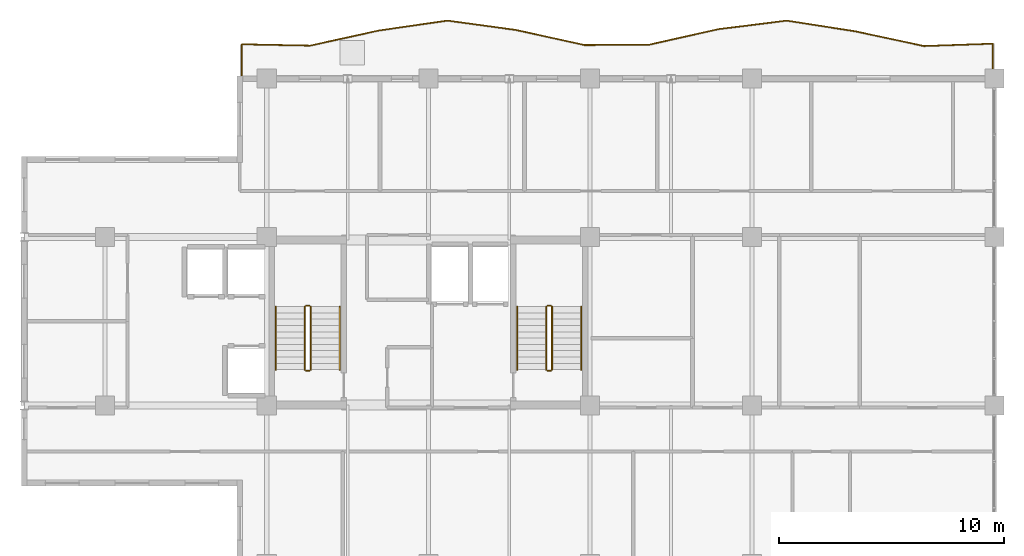
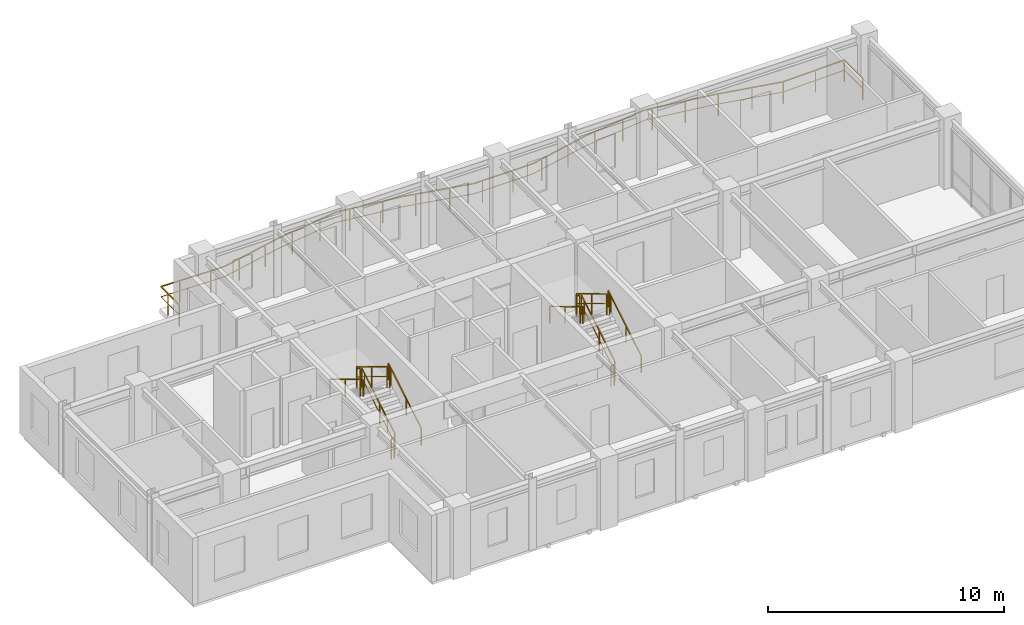
# One storey, part 10 of 10: 13 railings.
"""IFC4 building model written with IfcOpenShell, lengths in metres."""

from ifc_helpers import new_model, si_unit, direction, frame, origin, origin_2d, place, context, subcontext, project, spatial, rectangle, extrude, material, type_object, element, save


model = new_model("IFC4")

# Units and contexts
model_context = context("Model", 3, precision=1e-05, world=origin(), true_north=direction((0.0, 1.0)))
body_context = subcontext(model_context, "Body", "Model", "MODEL_VIEW")
ifc_project = project(units=[si_unit("LENGTHUNIT", "METRE"), si_unit("AREAUNIT", "SQUARE_METRE"), si_unit("VOLUMEUNIT", "CUBIC_METRE"), si_unit("PLANEANGLEUNIT", "RADIAN"), si_unit("MASSUNIT", "GRAM", prefix="KILO")], contexts=[model_context])

# Site, building, storey
site_placement = place(None, origin())
site = spatial("IfcSite", under=ifc_project, at=site_placement, CompositionType="ELEMENT")
building_placement = place(site_placement, origin())
building = spatial("IfcBuilding", under=site, at=building_placement, Name="Kaliganga Portal Commons", CompositionType="ELEMENT")
storey_placement = place(building_placement, frame((0.0, 0.0, 286.89990234375)))
storey = spatial("IfcBuildingStorey", under=building, at=storey_placement, Name="L74", CompositionType="ELEMENT", Elevation=286.89990234375)

# Railings
ifc_material_1 = material(Name="Laminated Safety Glass and Stainless Steel 316", Category="steel")
railing_type_1 = type_object("IfcRailingType", Name="RLG-BAL-1150", PredefinedType="BALUSTRADE", material=ifc_material_1)
railing_1_placement = place(storey_placement, frame((46.720458984375, 43.207763671875, 0.0)))
element("IfcRailing", 1, at=railing_1_placement, inside=storey, type_object=railing_type_1, Name="Balcony Guardrail L74 balc_north", PredefinedType="BALUSTRADE", context=body_context, shape_type="SweptSolid", body=[
    extrude(rectangle(XDim=0.048095703125, YDim=0.048095703125, at=origin_2d()), frame((0.0, 0.0, 1.1259765625), z_axis=(-0.000314415957, 0.999999950571, 0.0), x_axis=(-0.999999950571, -0.000314415957, 0.0)), (0.0, 0.0, 1.0), 1.552978515625),
    extrude(rectangle(XDim=0.028076171875, YDim=0.028076171875, at=origin_2d()), frame((0.0, 0.0, 0.597900390625), z_axis=(-0.000314415957, 0.999999950571, 0.0), x_axis=(-0.999999950571, -0.000314415957, 0.0)), (0.0, 0.0, 1.0), 1.552978515625),
    extrude(rectangle(XDim=0.048095703125, YDim=0.048095703125, at=origin_2d()), frame((-0.00048828125, 1.552978515625, 1.1259765625), z_axis=(-0.999409882753, -0.034349472431, 0.0), x_axis=(0.034349472431, -0.999409882753, 0.0)), (0.0, 0.0, 1.0), 3.05615234375),
    extrude(rectangle(XDim=0.028076171875, YDim=0.028076171875, at=origin_2d()), frame((-0.00048828125, 1.552978515625, 0.597900390625), z_axis=(-0.999409882753, -0.034349472431, 0.0), x_axis=(0.034349472431, -0.999409882753, 0.0)), (0.0, 0.0, 1.0), 3.05615234375),
    extrude(rectangle(XDim=0.048095703125, YDim=0.048095703125, at=origin_2d()), frame((-3.054931640625, 1.447998046875, 1.1259765625), z_axis=(-0.977817280433, 0.209459700388, 0.0), x_axis=(-0.209459700388, -0.977817280433, 0.0)), (0.0, 0.0, 1.0), 3.123779296875),
    extrude(rectangle(XDim=0.028076171875, YDim=0.028076171875, at=origin_2d()), frame((-3.054931640625, 1.447998046875, 0.597900390625), z_axis=(-0.977817280433, 0.209459700388, 0.0), x_axis=(-0.209459700388, -0.977817280433, 0.0)), (0.0, 0.0, 1.0), 3.123779296875),
    extrude(rectangle(XDim=0.048095703125, YDim=0.048095703125, at=origin_2d()), frame((-6.109375, 2.102294921875, 1.1259765625), z_axis=(-0.987996218209, 0.154478065773, 0.0), x_axis=(-0.154478065773, -0.987996218209, 0.0)), (0.0, 0.0, 1.0), 3.09130859375),
    extrude(rectangle(XDim=0.028076171875, YDim=0.028076171875, at=origin_2d()), frame((-6.109375, 2.102294921875, 0.597900390625), z_axis=(-0.987996218209, 0.154478065773, 0.0), x_axis=(-0.154478065773, -0.987996218209, 0.0)), (0.0, 0.0, 1.0), 3.09130859375),
    extrude(rectangle(XDim=0.048095703125, YDim=0.048095703125, at=origin_2d()), frame((-9.16357421875, 2.579833984375, 1.1259765625), z_axis=(-0.992315657939, -0.123732109854, 0.0), x_axis=(0.123732109854, -0.992315657939, 0.0)), (0.0, 0.0, 1.0), 3.078125),
    extrude(rectangle(XDim=0.028076171875, YDim=0.028076171875, at=origin_2d()), frame((-9.16357421875, 2.579833984375, 0.597900390625), z_axis=(-0.992315657939, -0.123732109854, 0.0), x_axis=(0.123732109854, -0.992315657939, 0.0)), (0.0, 0.0, 1.0), 3.078125),
    extrude(rectangle(XDim=0.048095703125, YDim=0.048095703125, at=origin_2d()), frame((-12.218017578125, 2.198974609375, 1.1259765625), z_axis=(-0.975683592517, -0.219183775159, 0.0), x_axis=(0.219183775159, -0.975683592517, 0.0)), (0.0, 0.0, 1.0), 3.131103515625),
    extrude(rectangle(XDim=0.028076171875, YDim=0.028076171875, at=origin_2d()), frame((-12.218017578125, 2.198974609375, 0.597900390625), z_axis=(-0.975683592517, -0.219183775159, 0.0), x_axis=(0.219183775159, -0.975683592517, 0.0)), (0.0, 0.0, 1.0), 3.131103515625),
    extrude(rectangle(XDim=0.048095703125, YDim=0.048095703125, at=origin_2d()), frame((-15.27294921875, 1.5126953125, 1.1259765625), z_axis=(-0.999971839813, -0.0075046373, 0.0), x_axis=(0.0075046373, -0.999971839813, 0.0)), (0.0, 0.0, 1.0), 2.895263671875),
    extrude(rectangle(XDim=0.028076171875, YDim=0.028076171875, at=origin_2d()), frame((-15.27294921875, 1.5126953125, 0.597900390625), z_axis=(-0.999971839813, -0.0075046373, 0.0), x_axis=(0.0075046373, -0.999971839813, 0.0)), (0.0, 0.0, 1.0), 2.895263671875),
    extrude(rectangle(XDim=0.048095703125, YDim=0.048095703125, at=origin_2d()), frame((-18.168212890625, 1.490966796875, 1.1259765625), z_axis=(-0.976605796385, 0.215037481541, 0.0), x_axis=(-0.215037481541, -0.976605796385, 0.0)), (0.0, 0.0, 1.0), 3.1279296875),
    extrude(rectangle(XDim=0.028076171875, YDim=0.028076171875, at=origin_2d()), frame((-18.168212890625, 1.490966796875, 0.597900390625), z_axis=(-0.976605796385, 0.215037481541, 0.0), x_axis=(-0.215037481541, -0.976605796385, 0.0)), (0.0, 0.0, 1.0), 3.1279296875),
    extrude(rectangle(XDim=0.048095703125, YDim=0.048095703125, at=origin_2d()), frame((-21.222900390625, 2.16357421875, 1.1259765625), z_axis=(-0.990745644969, 0.135731599031, 0.0), x_axis=(-0.135731599031, -0.990745644969, 0.0)), (0.0, 0.0, 1.0), 3.0830078125),
    extrude(rectangle(XDim=0.028076171875, YDim=0.028076171875, at=origin_2d()), frame((-21.222900390625, 2.16357421875, 0.597900390625), z_axis=(-0.990745644969, 0.135731599031, 0.0), x_axis=(-0.135731599031, -0.990745644969, 0.0)), (0.0, 0.0, 1.0), 3.0830078125),
    extrude(rectangle(XDim=0.048095703125, YDim=0.048095703125, at=origin_2d()), frame((-24.27734375, 2.58203125, 1.1259765625), z_axis=(-0.989649855278, -0.14350318445, 0.0), x_axis=(0.14350318445, -0.989649855278, 0.0)), (0.0, 0.0, 1.0), 3.086181640625),
    extrude(rectangle(XDim=0.028076171875, YDim=0.028076171875, at=origin_2d()), frame((-24.27734375, 2.58203125, 0.597900390625), z_axis=(-0.989649855278, -0.14350318445, 0.0), x_axis=(0.14350318445, -0.989649855278, 0.0)), (0.0, 0.0, 1.0), 3.086181640625),
    extrude(rectangle(XDim=0.048095703125, YDim=0.048095703125, at=origin_2d()), frame((-27.33154296875, 2.13916015625, 1.1259765625), z_axis=(-0.976634964869, -0.214904968291, 0.0), x_axis=(0.214904968291, -0.976634964869, 0.0)), (0.0, 0.0, 1.0), 3.12744140625),
    extrude(rectangle(XDim=0.028076171875, YDim=0.028076171875, at=origin_2d()), frame((-27.33154296875, 2.13916015625, 0.597900390625), z_axis=(-0.976634964869, -0.214904968291, 0.0), x_axis=(0.214904968291, -0.976634964869, 0.0)), (0.0, 0.0, 1.0), 3.12744140625),
    extrude(rectangle(XDim=0.048095703125, YDim=0.048095703125, at=origin_2d()), frame((-30.385986328125, 1.467041015625, 1.1259765625), z_axis=(-0.999808312745, 0.019579013398, 0.0), x_axis=(-0.019579013398, -0.999808312745, 0.0)), (0.0, 0.0, 1.0), 3.054931640625),
    extrude(rectangle(XDim=0.028076171875, YDim=0.028076171875, at=origin_2d()), frame((-30.385986328125, 1.467041015625, 0.597900390625), z_axis=(-0.999808312745, 0.019579013398, 0.0), x_axis=(-0.019579013398, -0.999808312745, 0.0)), (0.0, 0.0, 1.0), 3.054931640625),
    extrude(rectangle(XDim=0.048095703125, YDim=0.048095703125, at=origin_2d()), frame((-33.4404296875, 1.52685546875, 1.1259765625), z_axis=(-0.000319795315, -0.999999948865, 0.0), x_axis=(0.999999948865, -0.000319795315, 0.0)), (0.0, 0.0, 1.0), 1.52685546875),
    extrude(rectangle(XDim=0.028076171875, YDim=0.028076171875, at=origin_2d()), frame((-33.4404296875, 1.52685546875, 0.597900390625), z_axis=(-0.000319795315, -0.999999948865, 0.0), x_axis=(0.999999948865, -0.000319795315, 0.0)), (0.0, 0.0, 1.0), 1.52685546875),
    extrude(rectangle(XDim=0.0419921875, YDim=0.0419921875, at=origin_2d()), origin(), (0.0, 0.0, 1.0), 1.101806640625),
    extrude(rectangle(XDim=0.0419921875, YDim=0.0419921875, at=origin_2d()), frame((-0.00048828125, 1.552978515625, 0.0)), (0.0, 0.0, 1.0), 1.101806640625),
    extrude(rectangle(XDim=0.0419921875, YDim=0.0419921875, at=origin_2d()), frame((-1.44677734375, 1.503173828125, 0.0)), (0.0, 0.0, 1.0), 1.101806640625),
    extrude(rectangle(XDim=0.0419921875, YDim=0.0419921875, at=origin_2d()), frame((-3.054931640625, 1.447998046875, 0.0)), (0.0, 0.0, 1.0), 1.101806640625),
    extrude(rectangle(XDim=0.0419921875, YDim=0.0419921875, at=origin_2d()), frame((-4.414794921875, 1.7392578125, 0.0)), (0.0, 0.0, 1.0), 1.101806640625),
    extrude(rectangle(XDim=0.0419921875, YDim=0.0419921875, at=origin_2d()), frame((-5.881591796875, 2.053466796875, 0.0)), (0.0, 0.0, 1.0), 1.101806640625),
    extrude(rectangle(XDim=0.0419921875, YDim=0.0419921875, at=origin_2d()), frame((-7.361083984375, 2.298095703125, 0.0)), (0.0, 0.0, 1.0), 1.101806640625),
    extrude(rectangle(XDim=0.0419921875, YDim=0.0419921875, at=origin_2d()), frame((-8.84326171875, 2.52978515625, 0.0)), (0.0, 0.0, 1.0), 1.101806640625),
    extrude(rectangle(XDim=0.0419921875, YDim=0.0419921875, at=origin_2d()), frame((-10.330322265625, 2.434326171875, 0.0)), (0.0, 0.0, 1.0), 1.101806640625),
    extrude(rectangle(XDim=0.0419921875, YDim=0.0419921875, at=origin_2d()), frame((-11.81884765625, 2.248779296875, 0.0)), (0.0, 0.0, 1.0), 1.101806640625),
    extrude(rectangle(XDim=0.0419921875, YDim=0.0419921875, at=origin_2d()), frame((-13.2890625, 1.95849609375, 0.0)), (0.0, 0.0, 1.0), 1.101806640625),
    extrude(rectangle(XDim=0.0419921875, YDim=0.0419921875, at=origin_2d()), frame((-14.75244140625, 1.629638671875, 0.0)), (0.0, 0.0, 1.0), 1.101806640625),
    extrude(rectangle(XDim=0.0419921875, YDim=0.0419921875, at=origin_2d()), frame((-16.239501953125, 1.50537109375, 0.0)), (0.0, 0.0, 1.0), 1.101806640625),
    extrude(rectangle(XDim=0.0419921875, YDim=0.0419921875, at=origin_2d()), frame((-17.739501953125, 1.494140625, 0.0)), (0.0, 0.0, 1.0), 1.101806640625),
    extrude(rectangle(XDim=0.0419921875, YDim=0.0419921875, at=origin_2d()), frame((-19.21435546875, 1.721435546875, 0.0)), (0.0, 0.0, 1.0), 1.101806640625),
    extrude(rectangle(XDim=0.0419921875, YDim=0.0419921875, at=origin_2d()), frame((-20.67919921875, 2.0439453125, 0.0)), (0.0, 0.0, 1.0), 1.101806640625),
    extrude(rectangle(XDim=0.0419921875, YDim=0.0419921875, at=origin_2d()), frame((-22.157470703125, 2.29150390625, 0.0)), (0.0, 0.0, 1.0), 1.101806640625),
    extrude(rectangle(XDim=0.0419921875, YDim=0.0419921875, at=origin_2d()), frame((-23.6435546875, 2.4951171875, 0.0)), (0.0, 0.0, 1.0), 1.101806640625),
    extrude(rectangle(XDim=0.0419921875, YDim=0.0419921875, at=origin_2d()), frame((-25.12890625, 2.45849609375, 0.0)), (0.0, 0.0, 1.0), 1.101806640625),
    extrude(rectangle(XDim=0.0419921875, YDim=0.0419921875, at=origin_2d()), frame((-26.61328125, 2.243408203125, 0.0)), (0.0, 0.0, 1.0), 1.101806640625),
    extrude(rectangle(XDim=0.0419921875, YDim=0.0419921875, at=origin_2d()), frame((-28.087646484375, 1.97265625, 0.0)), (0.0, 0.0, 1.0), 1.101806640625),
    extrude(rectangle(XDim=0.0419921875, YDim=0.0419921875, at=origin_2d()), frame((-29.552734375, 1.650390625, 0.0)), (0.0, 0.0, 1.0), 1.101806640625),
    extrude(rectangle(XDim=0.0419921875, YDim=0.0419921875, at=origin_2d()), frame((-31.032470703125, 1.479736328125, 0.0)), (0.0, 0.0, 1.0), 1.101806640625),
    extrude(rectangle(XDim=0.0419921875, YDim=0.0419921875, at=origin_2d()), frame((-32.5322265625, 1.509033203125, 0.0)), (0.0, 0.0, 1.0), 1.101806640625),
    extrude(rectangle(XDim=0.0419921875, YDim=0.0419921875, at=origin_2d()), frame((-33.440673828125, 0.93505859375, 0.0)), (0.0, 0.0, 1.0), 1.101806640625),
    extrude(rectangle(XDim=0.0419921875, YDim=0.0419921875, at=origin_2d()), frame((-33.44091796875, 0.0, 0.0)), (0.0, 0.0, 1.0), 1.101806640625),
])
ifc_material_2 = material(Name="Galvanized Painted Steel Balustrade", Category="steel")
railing_type_2 = type_object("IfcRailingType", Name="RLG-STAIR-GRD", PredefinedType="GUARDRAIL", material=ifc_material_2)
railing_2_placement = place(storey_placement, frame((16.35009765625, 30.25, 0.168212890625)))
element("IfcRailing", 2, at=railing_2_placement, inside=storey, type_object=railing_type_2, Name="L74 ST-A1 stair guard 1", PredefinedType="GUARDRAIL", context=body_context, shape_type="SweptSolid", body=[
    extrude(rectangle(XDim=0.048095703125, YDim=0.048095703125, at=origin_2d()), frame((0.0, 0.0, 1.072021484375), z_axis=(0.0, 0.857242210791, 0.514913383045), x_axis=(-1.0, 0.0, 0.0)), (0.0, 0.0, 1.0), 3.266357421875),
    extrude(rectangle(XDim=0.028076171875, YDim=0.028076171875, at=origin_2d()), frame((0.0, 0.0, 0.572021484375), z_axis=(0.0, 0.857242210791, 0.514913383045), x_axis=(-1.0, 0.0, 0.0)), (0.0, 0.0, 1.0), 3.266357421875),
    extrude(rectangle(XDim=0.0419921875, YDim=0.0419921875, at=origin_2d()), origin(), (0.0, 0.0, 1.0), 1.052001953125),
    extrude(rectangle(XDim=0.0419921875, YDim=0.0419921875, at=origin_2d()), frame((0.0, 1.285888671875, 0.7724609375)), (0.0, 0.0, 1.0), 1.052001953125),
    extrude(rectangle(XDim=0.0419921875, YDim=0.0419921875, at=origin_2d()), frame((0.0, 2.57177734375, 1.544677734375)), (0.0, 0.0, 1.0), 1.052001953125),
    extrude(rectangle(XDim=0.0419921875, YDim=0.0419921875, at=origin_2d()), frame((0.0, 2.800048828125, 1.681884765625)), (0.0, 0.0, 1.0), 1.052001953125),
])
railing_3_placement = place(storey_placement, frame((16.300048828125, 33.10009765625, 1.85009765625)))
element("IfcRailing", 3, at=railing_3_placement, inside=storey, type_object=railing_type_2, Name="L74 ST-A1 stair guard 2", PredefinedType="GUARDRAIL", context=body_context, shape_type="SweptSolid", body=[
    extrude(rectangle(XDim=0.048095703125, YDim=0.048095703125, at=origin_2d()), frame((0.0, 0.0, 1.076171875), z_axis=(-1.0, 0.0, 0.0), x_axis=(0.0, -1.0, 0.0)), (0.0, 0.0, 1.0), 0.150146484375),
    extrude(rectangle(XDim=0.028076171875, YDim=0.028076171875, at=origin_2d()), frame((0.0, 0.0, 0.572021484375), z_axis=(-1.0, 0.0, 0.0), x_axis=(0.0, -1.0, 0.0)), (0.0, 0.0, 1.0), 0.150146484375),
    extrude(rectangle(XDim=0.0419921875, YDim=0.0419921875, at=origin_2d()), origin(), (0.0, 0.0, 1.0), 1.052001953125),
    extrude(rectangle(XDim=0.0419921875, YDim=0.0419921875, at=origin_2d()), frame((-0.150146484375, 0.0, 0.0)), (0.0, 0.0, 1.0), 1.052001953125),
])
railing_4_placement = place(storey_placement, frame((16.10009765625, 33.050048828125, 2.018310546875)))
element("IfcRailing", 4, at=railing_4_placement, inside=storey, type_object=railing_type_2, Name="L74 ST-A1 stair guard 3", PredefinedType="GUARDRAIL", context=body_context, shape_type="SweptSolid", body=[
    extrude(rectangle(XDim=0.048095703125, YDim=0.048095703125, at=origin_2d()), frame((0.0, 0.0, 1.072021484375), z_axis=(0.0, -0.857242210791, 0.514913383045), x_axis=(1.0, 0.0, 0.0)), (0.0, 0.0, 1.0), 3.266357421875),
    extrude(rectangle(XDim=0.028076171875, YDim=0.028076171875, at=origin_2d()), frame((0.0, 0.0, 0.572021484375), z_axis=(0.0, -0.857242210791, 0.514913383045), x_axis=(1.0, 0.0, 0.0)), (0.0, 0.0, 1.0), 3.266357421875),
    extrude(rectangle(XDim=0.0419921875, YDim=0.0419921875, at=origin_2d()), origin(), (0.0, 0.0, 1.0), 1.052001953125),
    extrude(rectangle(XDim=0.0419921875, YDim=0.0419921875, at=origin_2d()), frame((0.0, -1.285888671875, 0.7724609375)), (0.0, 0.0, 1.0), 1.052001953125),
    extrude(rectangle(XDim=0.0419921875, YDim=0.0419921875, at=origin_2d()), frame((0.0, -2.57177734375, 1.544677734375)), (0.0, 0.0, 1.0), 1.052001953125),
    extrude(rectangle(XDim=0.0419921875, YDim=0.0419921875, at=origin_2d()), frame((0.0, -2.800048828125, 1.681884765625)), (0.0, 0.0, 1.0), 1.052001953125),
])
railing_5_placement = place(storey_placement, frame((16.300048828125, 30.199951171875, 0.0)))
element("IfcRailing", 5, at=railing_5_placement, inside=storey, type_object=railing_type_2, Name="L74 ST-A1 stair guard 4", PredefinedType="GUARDRAIL", context=body_context, shape_type="SweptSolid", body=[
    extrude(rectangle(XDim=0.048095703125, YDim=0.048095703125, at=origin_2d()), frame((0.0, 0.0, 1.076171875), z_axis=(-1.0, 0.0, 0.0), x_axis=(0.0, -1.0, 0.0)), (0.0, 0.0, 1.0), 0.150146484375),
    extrude(rectangle(XDim=0.028076171875, YDim=0.028076171875, at=origin_2d()), frame((0.0, 0.0, 0.572021484375), z_axis=(-1.0, 0.0, 0.0), x_axis=(0.0, -1.0, 0.0)), (0.0, 0.0, 1.0), 0.150146484375),
    extrude(rectangle(XDim=0.0419921875, YDim=0.0419921875, at=origin_2d()), origin(), (0.0, 0.0, 1.0), 1.052001953125),
    extrude(rectangle(XDim=0.0419921875, YDim=0.0419921875, at=origin_2d()), frame((-0.150146484375, 0.0, 0.0)), (0.0, 0.0, 1.0), 1.052001953125),
])
railing_6_placement = place(storey_placement, frame((27.10009765625, 30.25, 0.168212890625)))
element("IfcRailing", 6, at=railing_6_placement, inside=storey, type_object=railing_type_2, Name="L74 ST-A2 stair guard 1", PredefinedType="GUARDRAIL", context=body_context, shape_type="SweptSolid", body=[
    extrude(rectangle(XDim=0.048095703125, YDim=0.048095703125, at=origin_2d()), frame((0.0, 0.0, 1.072021484375), z_axis=(0.0, 0.857242210791, 0.514913383045), x_axis=(-1.0, 0.0, 0.0)), (0.0, 0.0, 1.0), 3.266357421875),
    extrude(rectangle(XDim=0.028076171875, YDim=0.028076171875, at=origin_2d()), frame((0.0, 0.0, 0.572021484375), z_axis=(0.0, 0.857242210791, 0.514913383045), x_axis=(-1.0, 0.0, 0.0)), (0.0, 0.0, 1.0), 3.266357421875),
    extrude(rectangle(XDim=0.0419921875, YDim=0.0419921875, at=origin_2d()), origin(), (0.0, 0.0, 1.0), 1.052001953125),
    extrude(rectangle(XDim=0.0419921875, YDim=0.0419921875, at=origin_2d()), frame((0.0, 1.285888671875, 0.7724609375)), (0.0, 0.0, 1.0), 1.052001953125),
    extrude(rectangle(XDim=0.0419921875, YDim=0.0419921875, at=origin_2d()), frame((0.0, 2.57177734375, 1.544677734375)), (0.0, 0.0, 1.0), 1.052001953125),
    extrude(rectangle(XDim=0.0419921875, YDim=0.0419921875, at=origin_2d()), frame((0.0, 2.800048828125, 1.681884765625)), (0.0, 0.0, 1.0), 1.052001953125),
])
railing_7_placement = place(storey_placement, frame((27.050048828125, 33.10009765625, 1.85009765625)))
element("IfcRailing", 7, at=railing_7_placement, inside=storey, type_object=railing_type_2, Name="L74 ST-A2 stair guard 2", PredefinedType="GUARDRAIL", context=body_context, shape_type="SweptSolid", body=[
    extrude(rectangle(XDim=0.048095703125, YDim=0.048095703125, at=origin_2d()), frame((0.0, 0.0, 1.076171875), z_axis=(-1.0, 0.0, 0.0), x_axis=(0.0, -1.0, 0.0)), (0.0, 0.0, 1.0), 0.150146484375),
    extrude(rectangle(XDim=0.028076171875, YDim=0.028076171875, at=origin_2d()), frame((0.0, 0.0, 0.572021484375), z_axis=(-1.0, 0.0, 0.0), x_axis=(0.0, -1.0, 0.0)), (0.0, 0.0, 1.0), 0.150146484375),
    extrude(rectangle(XDim=0.0419921875, YDim=0.0419921875, at=origin_2d()), origin(), (0.0, 0.0, 1.0), 1.052001953125),
    extrude(rectangle(XDim=0.0419921875, YDim=0.0419921875, at=origin_2d()), frame((-0.150146484375, 0.0, 0.0)), (0.0, 0.0, 1.0), 1.052001953125),
])
railing_8_placement = place(storey_placement, frame((26.85009765625, 33.050048828125, 2.018310546875)))
element("IfcRailing", 8, at=railing_8_placement, inside=storey, type_object=railing_type_2, Name="L74 ST-A2 stair guard 3", PredefinedType="GUARDRAIL", context=body_context, shape_type="SweptSolid", body=[
    extrude(rectangle(XDim=0.048095703125, YDim=0.048095703125, at=origin_2d()), frame((0.0, 0.0, 1.072021484375), z_axis=(0.0, -0.857242210791, 0.514913383045), x_axis=(1.0, 0.0, 0.0)), (0.0, 0.0, 1.0), 3.266357421875),
    extrude(rectangle(XDim=0.028076171875, YDim=0.028076171875, at=origin_2d()), frame((0.0, 0.0, 0.572021484375), z_axis=(0.0, -0.857242210791, 0.514913383045), x_axis=(1.0, 0.0, 0.0)), (0.0, 0.0, 1.0), 3.266357421875),
    extrude(rectangle(XDim=0.0419921875, YDim=0.0419921875, at=origin_2d()), origin(), (0.0, 0.0, 1.0), 1.052001953125),
    extrude(rectangle(XDim=0.0419921875, YDim=0.0419921875, at=origin_2d()), frame((0.0, -1.285888671875, 0.7724609375)), (0.0, 0.0, 1.0), 1.052001953125),
    extrude(rectangle(XDim=0.0419921875, YDim=0.0419921875, at=origin_2d()), frame((0.0, -2.57177734375, 1.544677734375)), (0.0, 0.0, 1.0), 1.052001953125),
    extrude(rectangle(XDim=0.0419921875, YDim=0.0419921875, at=origin_2d()), frame((0.0, -2.800048828125, 1.681884765625)), (0.0, 0.0, 1.0), 1.052001953125),
])
railing_9_placement = place(storey_placement, frame((27.050048828125, 30.199951171875, 0.0)))
element("IfcRailing", 9, at=railing_9_placement, inside=storey, type_object=railing_type_2, Name="L74 ST-A2 stair guard 4", PredefinedType="GUARDRAIL", context=body_context, shape_type="SweptSolid", body=[
    extrude(rectangle(XDim=0.048095703125, YDim=0.048095703125, at=origin_2d()), frame((0.0, 0.0, 1.076171875), z_axis=(-1.0, 0.0, 0.0), x_axis=(0.0, -1.0, 0.0)), (0.0, 0.0, 1.0), 0.150146484375),
    extrude(rectangle(XDim=0.028076171875, YDim=0.028076171875, at=origin_2d()), frame((0.0, 0.0, 0.572021484375), z_axis=(-1.0, 0.0, 0.0), x_axis=(0.0, -1.0, 0.0)), (0.0, 0.0, 1.0), 0.150146484375),
    extrude(rectangle(XDim=0.0419921875, YDim=0.0419921875, at=origin_2d()), origin(), (0.0, 0.0, 1.0), 1.052001953125),
    extrude(rectangle(XDim=0.0419921875, YDim=0.0419921875, at=origin_2d()), frame((-0.150146484375, 0.0, 0.0)), (0.0, 0.0, 1.0), 1.052001953125),
])
ifc_material_3 = material(Name="Brushed Stainless Steel 316", Category="steel")
railing_type_3 = type_object("IfcRailingType", Name="RLG-STAIR-HR", PredefinedType="HANDRAIL", material=ifc_material_3)
railing_10_placement = place(storey_placement, frame((17.64990234375, 30.25, 0.168212890625)))
element("IfcRailing", 10, at=railing_10_placement, inside=storey, type_object=railing_type_3, Name="L74 ST-A1 stair handrail 1", PredefinedType="HANDRAIL", context=body_context, shape_type="SweptSolid", body=[
    extrude(rectangle(XDim=0.048095703125, YDim=0.048095703125, at=origin_2d()), frame((0.0, 0.0, 0.871826171875), z_axis=(0.0, 0.857242210791, 0.514913383045), x_axis=(-1.0, 0.0, 0.0)), (0.0, 0.0, 1.0), 3.266357421875),
    extrude(rectangle(XDim=0.0419921875, YDim=0.0419921875, at=origin_2d()), origin(), (0.0, 0.0, 1.0), 0.851806640625),
    extrude(rectangle(XDim=0.0419921875, YDim=0.0419921875, at=origin_2d()), frame((0.0, 1.285888671875, 0.7724609375)), (0.0, 0.0, 1.0), 0.851806640625),
    extrude(rectangle(XDim=0.0419921875, YDim=0.0419921875, at=origin_2d()), frame((0.0, 2.57177734375, 1.544677734375)), (0.0, 0.0, 1.0), 0.851806640625),
    extrude(rectangle(XDim=0.0419921875, YDim=0.0419921875, at=origin_2d()), frame((0.0, 2.800048828125, 1.681884765625)), (0.0, 0.0, 1.0), 0.851806640625),
])
railing_11_placement = place(storey_placement, frame((14.800048828125, 33.050048828125, 2.018310546875)))
element("IfcRailing", 11, at=railing_11_placement, inside=storey, type_object=railing_type_3, Name="L74 ST-A1 stair handrail 2", PredefinedType="HANDRAIL", context=body_context, shape_type="SweptSolid", body=[
    extrude(rectangle(XDim=0.048095703125, YDim=0.048095703125, at=origin_2d()), frame((0.0, 0.0, 0.871826171875), z_axis=(0.0, -0.857242210791, 0.514913383045), x_axis=(1.0, 0.0, 0.0)), (0.0, 0.0, 1.0), 3.266357421875),
    extrude(rectangle(XDim=0.0419921875, YDim=0.0419921875, at=origin_2d()), origin(), (0.0, 0.0, 1.0), 0.851806640625),
    extrude(rectangle(XDim=0.0419921875, YDim=0.0419921875, at=origin_2d()), frame((0.0, -1.285888671875, 0.7724609375)), (0.0, 0.0, 1.0), 0.851806640625),
    extrude(rectangle(XDim=0.0419921875, YDim=0.0419921875, at=origin_2d()), frame((0.0, -2.57177734375, 1.544677734375)), (0.0, 0.0, 1.0), 0.851806640625),
    extrude(rectangle(XDim=0.0419921875, YDim=0.0419921875, at=origin_2d()), frame((0.0, -2.800048828125, 1.681884765625)), (0.0, 0.0, 1.0), 0.851806640625),
])
railing_12_placement = place(storey_placement, frame((28.39990234375, 30.25, 0.168212890625)))
element("IfcRailing", 12, at=railing_12_placement, inside=storey, type_object=railing_type_3, Name="L74 ST-A2 stair handrail 1", PredefinedType="HANDRAIL", context=body_context, shape_type="SweptSolid", body=[
    extrude(rectangle(XDim=0.048095703125, YDim=0.048095703125, at=origin_2d()), frame((0.0, 0.0, 0.871826171875), z_axis=(0.0, 0.857242210791, 0.514913383045), x_axis=(-1.0, 0.0, 0.0)), (0.0, 0.0, 1.0), 3.266357421875),
    extrude(rectangle(XDim=0.0419921875, YDim=0.0419921875, at=origin_2d()), origin(), (0.0, 0.0, 1.0), 0.851806640625),
    extrude(rectangle(XDim=0.0419921875, YDim=0.0419921875, at=origin_2d()), frame((0.0, 1.285888671875, 0.7724609375)), (0.0, 0.0, 1.0), 0.851806640625),
    extrude(rectangle(XDim=0.0419921875, YDim=0.0419921875, at=origin_2d()), frame((0.0, 2.57177734375, 1.544677734375)), (0.0, 0.0, 1.0), 0.851806640625),
    extrude(rectangle(XDim=0.0419921875, YDim=0.0419921875, at=origin_2d()), frame((0.0, 2.800048828125, 1.681884765625)), (0.0, 0.0, 1.0), 0.851806640625),
])
railing_13_placement = place(storey_placement, frame((25.550048828125, 33.050048828125, 2.018310546875)))
element("IfcRailing", 13, at=railing_13_placement, inside=storey, type_object=railing_type_3, Name="L74 ST-A2 stair handrail 2", PredefinedType="HANDRAIL", context=body_context, shape_type="SweptSolid", body=[
    extrude(rectangle(XDim=0.048095703125, YDim=0.048095703125, at=origin_2d()), frame((0.0, 0.0, 0.871826171875), z_axis=(0.0, -0.857242210791, 0.514913383045), x_axis=(1.0, 0.0, 0.0)), (0.0, 0.0, 1.0), 3.266357421875),
    extrude(rectangle(XDim=0.0419921875, YDim=0.0419921875, at=origin_2d()), origin(), (0.0, 0.0, 1.0), 0.851806640625),
    extrude(rectangle(XDim=0.0419921875, YDim=0.0419921875, at=origin_2d()), frame((0.0, -1.285888671875, 0.7724609375)), (0.0, 0.0, 1.0), 0.851806640625),
    extrude(rectangle(XDim=0.0419921875, YDim=0.0419921875, at=origin_2d()), frame((0.0, -2.57177734375, 1.544677734375)), (0.0, 0.0, 1.0), 0.851806640625),
    extrude(rectangle(XDim=0.0419921875, YDim=0.0419921875, at=origin_2d()), frame((0.0, -2.800048828125, 1.681884765625)), (0.0, 0.0, 1.0), 0.851806640625),
])

save(model, "model.ifc")
